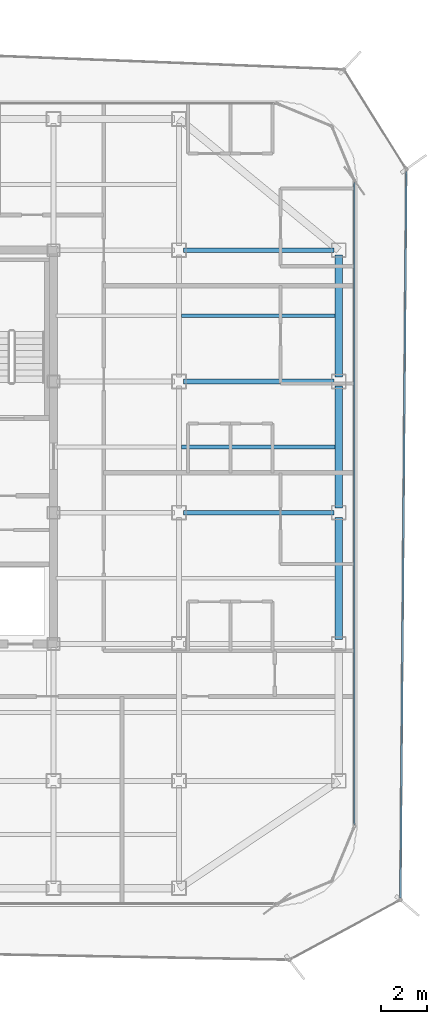
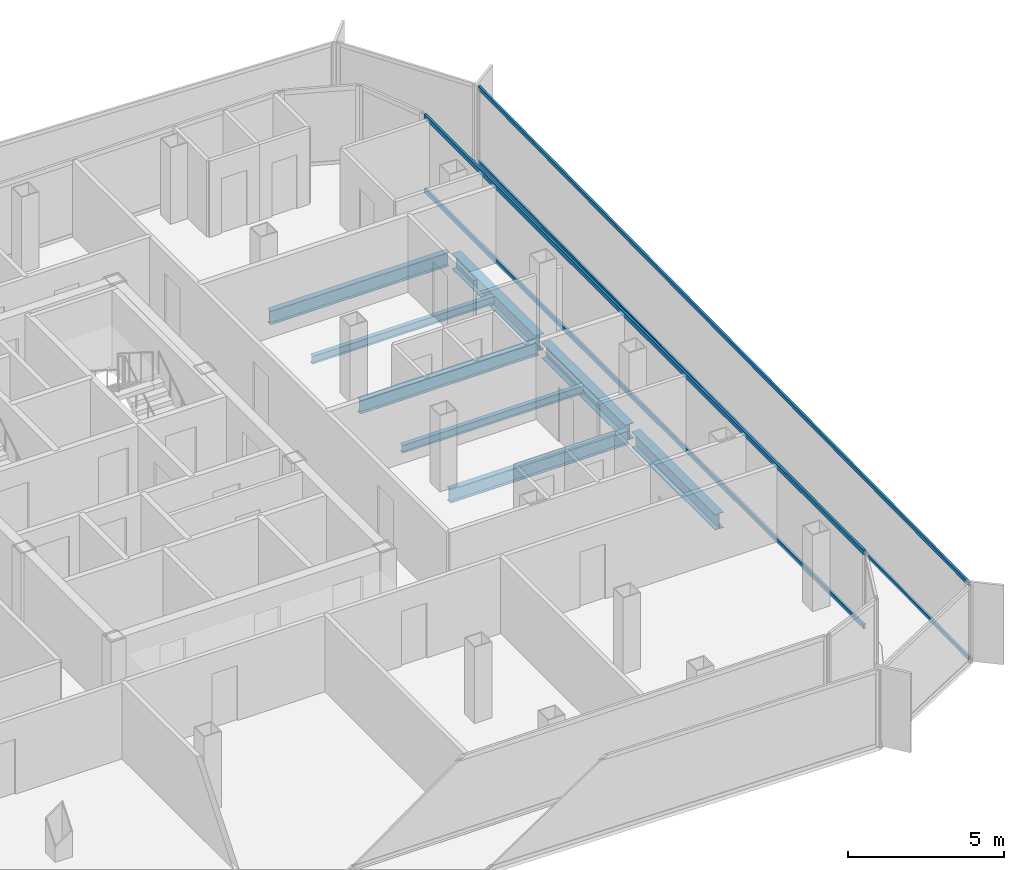
# One storey, part 5 of 15: 8 beams, 4 members, 2 elements without a shape of their own.
"""IFC4 building model written with IfcOpenShell, lengths in metres."""

from ifc_helpers import new_model, si_unit, direction, frame, origin, origin_2d, place, context, subcontext, project, spatial, hollow_rectangle, i_section, extrude, source, transform, mapped, material, layer, layer_set, material_profile, profile_set, type_object, element, aggregate, save


model = new_model("IFC4")

# Units and contexts
model_context = context("Model", 3, precision=1e-05, world=origin(), true_north=direction((0.0, 1.0)))
body_context = subcontext(model_context, "Body", "Model", "MODEL_VIEW")
ifc_project = project(units=[si_unit("LENGTHUNIT", "METRE"), si_unit("AREAUNIT", "SQUARE_METRE"), si_unit("VOLUMEUNIT", "CUBIC_METRE"), si_unit("PLANEANGLEUNIT", "RADIAN"), si_unit("MASSUNIT", "GRAM", prefix="KILO")], contexts=[model_context])

# Site, building, storey
site_placement = place(None, origin())
site = spatial("IfcSite", under=ifc_project, at=site_placement, CompositionType="ELEMENT")
building_placement = place(site_placement, origin())
building = spatial("IfcBuilding", under=site, at=building_placement, Name="Kolveth Station Tower", CompositionType="ELEMENT")
storey_placement = place(building_placement, frame((0.0, 0.0, 245.699951171875)))
storey = spatial("IfcBuildingStorey", under=building, at=storey_placement, Name="L70", CompositionType="ELEMENT", Elevation=245.699951171875)

# Beams
ifc_material_1 = material(Name="Steel S355", Category="steel")
ifc_material_profile_1 = material_profile(ifc_material_1, i_section(OverallWidth=0.323974609375, OverallDepth=0.611083984375, WebThickness=0.0126953125, FlangeThickness=0.01904296875, at=origin_2d()), Name="W610x155")
ifc_profile_set_1 = profile_set([ifc_material_profile_1], Name="Steel S355")
beam_type_1 = type_object("IfcBeamType", Name="Beam_SP2", PredefinedType="SPANDREL", material=ifc_profile_set_1)
shared_shape_1 = source(origin(), body_context, "Body", "SweptSolid", [
    extrude(i_section(OverallWidth=0.323974609375, OverallDepth=0.611083984375, WebThickness=0.0126953125, FlangeThickness=0.01904296875, at=origin_2d()), origin(), (0.0, 0.0, 1.0), 5.35009765625),
])
for number, where, z_axis, x_axis, name in (
    (1, (41.0, 11.699951171875, -0.525390625), (0.0, 1.0, 0.0), (-1.0, 0.0, 0.0), "L70 Perimeter Spandrel BM-L70-PE-2"),
    (2, (41.0, 17.449951171875, -0.525390625), (0.0, 1.0, 0.0), (-1.0, 0.0, 0.0), "L70 Perimeter Spandrel BM-L70-PE-3"),
    (3, (41.0, 23.199951171875, -0.525390625), (0.0, 1.0, 0.0), (-1.0, 0.0, 0.0), "L70 Perimeter Spandrel BM-L70-PE-4"),
):
    element("IfcBeam", number, at=place(storey_placement, frame(where, z_axis=z_axis, x_axis=x_axis)), inside=storey, type_object=beam_type_1, Name=name, PredefinedType="SPANDREL", context=body_context, shape_type="MappedRepresentation", body=[
        mapped(shared_shape_1, transform((0.0, 0.0, 0.0), x_axis=(1.0, 0.0, 0.0), y_axis=(0.0, 1.0, 0.0), z_axis=(0.0, 0.0, 1.0), scale=1.0)),
    ])
ifc_material_profile_2 = material_profile(ifc_material_1, i_section(OverallWidth=0.2099609375, OverallDepth=0.537109375, WebThickness=0.010986328125, FlangeThickness=0.017333984375, at=origin_2d()), Name="W530x101")
ifc_profile_set_2 = profile_set([ifc_material_profile_2], Name="Steel S355")
beam_type_2 = type_object("IfcBeamType", Name="Beam_B6", PredefinedType="BEAM", material=ifc_profile_set_2)
shared_shape_2 = source(origin(), body_context, "Body", "SweptSolid", [
    extrude(i_section(OverallWidth=0.2099609375, OverallDepth=0.537109375, WebThickness=0.010986328125, FlangeThickness=0.017333984375, at=origin_2d()), origin(), (0.0, 0.0, 1.0), 6.60009765625),
])
for number, where, z_axis, x_axis, name in (
    (4, (34.199951171875, 17.25, -0.488525390625), (1.0, 0.0, 0.0), (0.0, 1.0, 0.0), "L70 Primary Girder BM-L70-GY172-5"),
    (5, (34.199951171875, 23.0, -0.488525390625), (1.0, 0.0, 0.0), (0.0, 1.0, 0.0), "L70 Primary Girder BM-L70-GY230-5"),
    (6, (34.199951171875, 28.75, -0.488525390625), (1.0, 0.0, 0.0), (0.0, 1.0, 0.0), "L70 Primary Girder BM-L70-GY287-5"),
):
    element("IfcBeam", number, at=place(storey_placement, frame(where, z_axis=z_axis, x_axis=x_axis)), inside=storey, type_object=beam_type_2, Name=name, PredefinedType="BEAM", context=body_context, shape_type="MappedRepresentation", body=[
        mapped(shared_shape_2, transform((0.0, 0.0, 0.0), x_axis=(1.0, 0.0, 0.0), y_axis=(0.0, 1.0, 0.0), z_axis=(0.0, 0.0, 1.0), scale=1.0)),
    ])
ifc_material_profile_3 = material_profile(ifc_material_1, i_section(OverallWidth=0.1650390625, OverallDepth=0.31005859375, WebThickness=0.005859375, FlangeThickness=0.009765625, at=origin_2d()), Name="W310x39")
ifc_profile_set_3 = profile_set([ifc_material_profile_3], Name="Steel S355")
beam_type_3 = type_object("IfcBeamType", Name="Beam_J3", PredefinedType="JOIST", material=ifc_profile_set_3)
shared_shape_3 = source(origin(), body_context, "Body", "SweptSolid", [
    extrude(i_section(OverallWidth=0.1650390625, OverallDepth=0.31005859375, WebThickness=0.005859375, FlangeThickness=0.009765625, at=origin_2d()), origin(), (0.0, 0.0, 1.0), 6.737060546875),
])
for number, where, z_axis, x_axis, name in (
    (7, (34.10302734375, 20.125, -0.375), (1.0, 0.0, 0.0), (0.0, 1.0, 0.0), "L70 Secondary Joist JST-L70-5-4"),
    (8, (34.10302734375, 25.875, -0.375), (1.0, 0.0, 0.0), (0.0, 1.0, 0.0), "L70 Secondary Joist JST-L70-5-5"),
):
    element("IfcBeam", number, at=place(storey_placement, frame(where, z_axis=z_axis, x_axis=x_axis)), inside=storey, type_object=beam_type_3, Name=name, PredefinedType="JOIST", context=body_context, shape_type="MappedRepresentation", body=[
        mapped(shared_shape_3, transform((0.0, 0.0, 0.0), x_axis=(1.0, 0.0, 0.0), y_axis=(0.0, 1.0, 0.0), z_axis=(0.0, 0.0, 1.0), scale=1.0)),
    ])

# Curtain wall, members
ifc_material_2 = material(Name="Aluminium 6063-T6 and triple low-E dark glass", Category="aluminium")
ifc_layer_1 = layer(ifc_material_2, 0.199951171875)
ifc_layer_set_1 = layer_set([ifc_layer_1], Name="Aluminium 6063-T6 and triple low-E dark glass")
curtain_wall_type_1 = type_object("IfcCurtainWallType", Name="CurtainWall_CW-Z3", PredefinedType="NOTDEFINED", material=ifc_layer_set_1)
curtain_wall_1_placement = place(storey_placement, origin())
curtain_wall_1 = element("IfcCurtainWall", 9, at=curtain_wall_1_placement, inside=storey, type_object=curtain_wall_type_1, Name="L70 Inner Thermal Curtain Wall 3", PredefinedType="NOTDEFINED")
ifc_material_3 = material(Name="Black anodized aluminium 6063-T6", Category="aluminium")
ifc_material_profile_4 = material_profile(ifc_material_3, hollow_rectangle(XDim=0.0849609375, YDim=0.179931640625, WallThickness=0.0048828125, at=origin_2d()), Name="ALU-85x180x5")
ifc_profile_set_4 = profile_set([ifc_material_profile_4], Name="Black anodized aluminium 6063-T6")
member_type_1 = type_object("IfcMemberType", Name="Transom_TR3", PredefinedType="USERDEFINED", material=ifc_profile_set_4)
shared_shape_4 = source(origin(), body_context, "Body", "SweptSolid", [
    extrude(hollow_rectangle(XDim=0.0849609375, YDim=0.179931640625, WallThickness=0.0048828125, at=origin_2d()), origin(), (0.0, 0.0, 1.0), 28.130126953125),
])
member_1_placement = place(storey_placement, frame((41.679931640625, 3.5849609375, 0.04248046875), z_axis=(0.0, 1.0, 0.0), x_axis=(-1.0, 0.0, 0.0)))
member_1 = element("IfcMember", 10, at=member_1_placement, type_object=member_type_1, Name="CW-Z3 transom 1.1", ObjectType="TRANSOM", PredefinedType="USERDEFINED", context=body_context, shape_type="MappedRepresentation", body=[
    mapped(shared_shape_4, transform((0.0, 0.0, 0.0), x_axis=(1.0, 0.0, 0.0), y_axis=(0.0, 1.0, 0.0), z_axis=(0.0, 0.0, 1.0), scale=1.0)),
])
member_2_placement = place(storey_placement, frame((41.679931640625, 3.5849609375, 2.9375), z_axis=(0.0, 1.0, 0.0), x_axis=(-1.0, 0.0, 0.0)))
member_2 = element("IfcMember", 11, at=member_2_placement, type_object=member_type_1, Name="CW-Z3 transom 1.2", ObjectType="TRANSOM", PredefinedType="USERDEFINED", context=body_context, shape_type="MappedRepresentation", body=[
    mapped(shared_shape_4, transform((0.0, 0.0, 0.0), x_axis=(1.0, 0.0, 0.0), y_axis=(0.0, 1.0, 0.0), z_axis=(0.0, 0.0, 1.0), scale=1.0)),
])
aggregate(curtain_wall_1, [member_1, member_2])

ifc_material_4 = material(Name="Black anodized aluminium 6063-T6 and dark solar glass", Category="aluminium")
ifc_layer_2 = layer(ifc_material_4, 0.159912109375)
ifc_layer_set_2 = layer_set([ifc_layer_2], Name="Black anodized aluminium 6063-T6 and dark solar glass")
curtain_wall_type_2 = type_object("IfcCurtainWallType", Name="OUTER SKIN CW-OS", PredefinedType="NOTDEFINED", material=ifc_layer_set_2)
curtain_wall_2_placement = place(storey_placement, origin())
curtain_wall_2 = element("IfcCurtainWall", 12, at=curtain_wall_2_placement, inside=storey, type_object=curtain_wall_type_2, Name="L70 Outer Ventilated Skin Curtain Wall 2", PredefinedType="NOTDEFINED")
ifc_material_profile_5 = material_profile(ifc_material_3, hollow_rectangle(XDim=0.080078125, YDim=0.14990234375, WallThickness=0.0048828125, at=origin_2d()), Name="ALU-80x150x5")
ifc_profile_set_5 = profile_set([ifc_material_profile_5], Name="Black anodized aluminium 6063-T6")
member_type_2 = type_object("IfcMemberType", Name="Transom_TR-OS", PredefinedType="USERDEFINED", material=ifc_profile_set_5)
shared_shape_5 = source(origin(), body_context, "Body", "SweptSolid", [
    extrude(hollow_rectangle(XDim=0.080078125, YDim=0.14990234375, WallThickness=0.0048828125, at=origin_2d()), origin(), (0.0, 0.0, 1.0), 31.834228515625),
])
member_3_placement = place(storey_placement, frame((43.70263671875, 0.375, 0.0400390625), z_axis=(0.008067902672, 0.999967453944, 0.0), x_axis=(-0.999967453944, 0.008067902672, 0.0)))
member_3 = element("IfcMember", 13, at=member_3_placement, type_object=member_type_2, Name="CW-OS transom 1.1", ObjectType="TRANSOM", PredefinedType="USERDEFINED", context=body_context, shape_type="MappedRepresentation", body=[
    mapped(shared_shape_5, transform((0.0, 0.0, 0.0), x_axis=(1.0, 0.0, 0.0), y_axis=(0.0, 1.0, 0.0), z_axis=(0.0, 0.0, 1.0), scale=1.0)),
])
member_4_placement = place(storey_placement, frame((43.70263671875, 0.375, 2.949951171875), z_axis=(0.008067902672, 0.999967453944, 0.0), x_axis=(-0.999967453944, 0.008067902672, 0.0)))
member_4 = element("IfcMember", 14, at=member_4_placement, type_object=member_type_2, Name="CW-OS transom 1.2", ObjectType="TRANSOM", PredefinedType="USERDEFINED", context=body_context, shape_type="MappedRepresentation", body=[
    mapped(shared_shape_5, transform((0.0, 0.0, 0.0), x_axis=(1.0, 0.0, 0.0), y_axis=(0.0, 1.0, 0.0), z_axis=(0.0, 0.0, 1.0), scale=1.0)),
])
aggregate(curtain_wall_2, [member_3, member_4])

save(model, "model.ifc")
